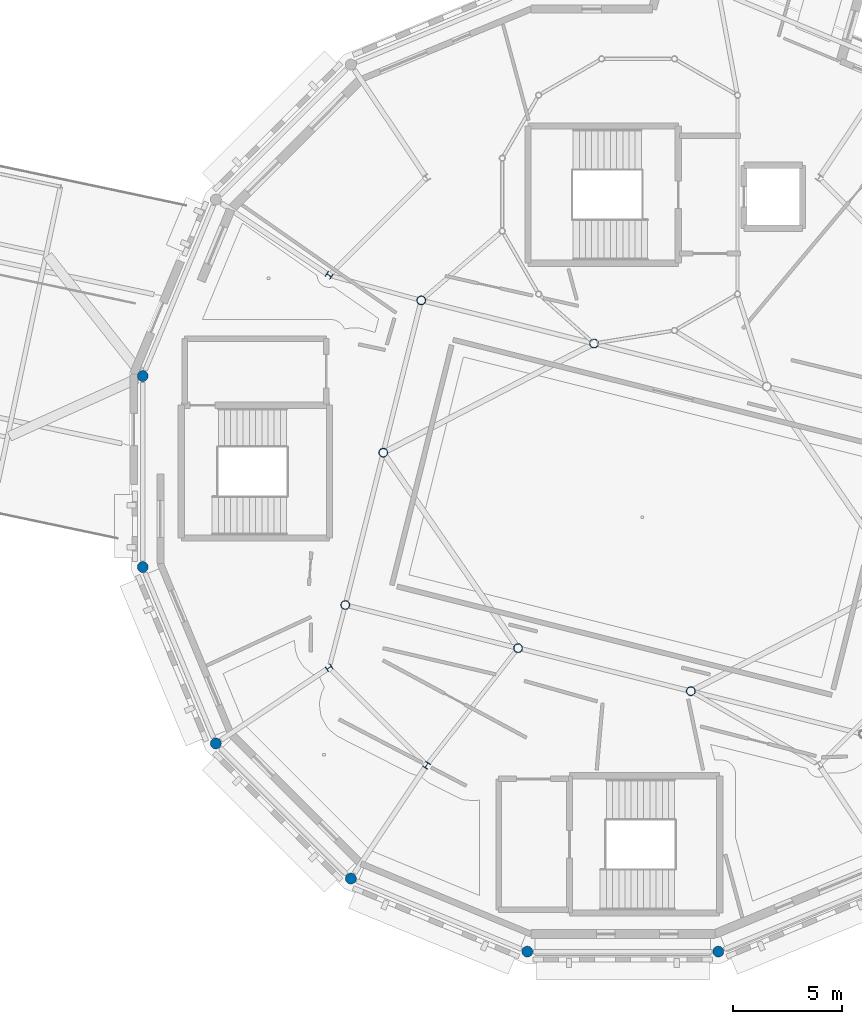
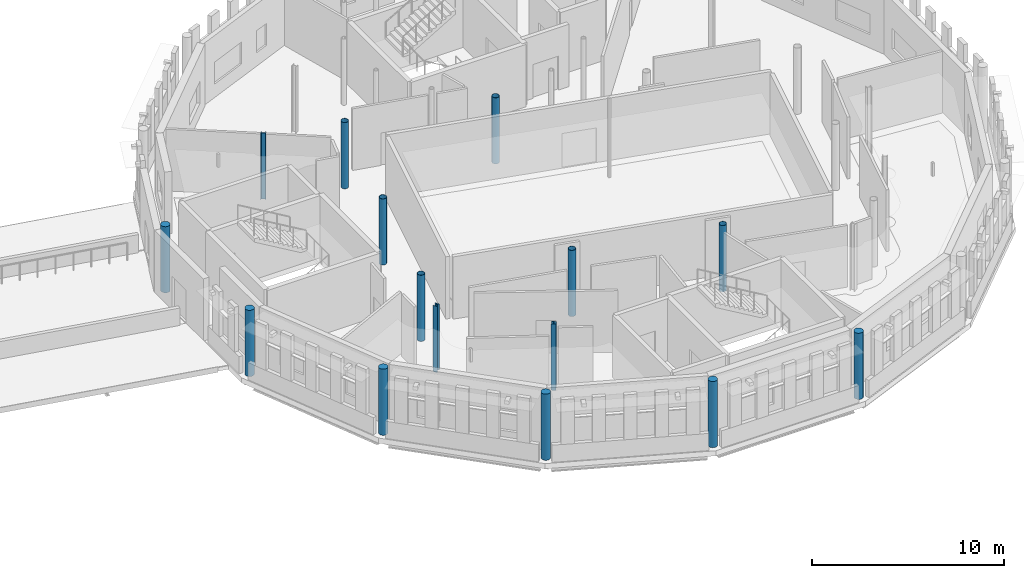
# One storey, part 11 of 90: 15 columns.
"""IFC4 building model written with IfcOpenShell, lengths in metres."""

from ifc_helpers import new_model, si_unit, direction, frame, origin, origin_2d, place, context, subcontext, project, spatial, circle, hollow_circle, i_section, extrude, material, material_profile, profile_set, type_object, element, save


model = new_model("IFC4")

# Units and contexts
model_context = context("Model", 3, precision=1e-05, world=origin(), true_north=direction((0.0, 1.0)))
body_context = subcontext(model_context, "Body", "Model", "MODEL_VIEW")
ifc_project = project(units=[si_unit("LENGTHUNIT", "METRE"), si_unit("AREAUNIT", "SQUARE_METRE"), si_unit("VOLUMEUNIT", "CUBIC_METRE"), si_unit("PLANEANGLEUNIT", "RADIAN"), si_unit("MASSUNIT", "GRAM", prefix="KILO")], contexts=[model_context])

# Site, building, storey
site_placement = place(None, origin())
site = spatial("IfcSite", under=ifc_project, at=site_placement, CompositionType="ELEMENT")
building_placement = place(site_placement, origin())
building = spatial("IfcBuilding", under=site, at=building_placement, Name="Wrenclough Park School", CompositionType="ELEMENT")
storey_placement = place(building_placement, frame((0.0, 0.0, 8.39990234375)))
storey = spatial("IfcBuildingStorey", under=building, at=storey_placement, Name="L02", CompositionType="ELEMENT", Elevation=8.39990234375)

# Columns
ifc_material_1 = material(Name="Structural steel S355", Category="steel")
ifc_material_profile_1 = material_profile(ifc_material_1, hollow_circle(Radius=0.203125, WallThickness=0.01611328125, at=origin_2d()), Name="CHS 406.4x16.0")
ifc_profile_set_1 = profile_set([ifc_material_profile_1], Name="Structural steel S355")
column_type_1 = type_object("IfcColumnType", Name="STR-COL-CHS406", PredefinedType="COLUMN", material=ifc_profile_set_1)
for number, where, z_axis, x_axis, name in (
    (1, (142.77197265625, 20.37744140625, 0.0), (0.0, 0.0, 1.0), (0.970295726276, -0.2419218956, 0.0), "D1 L02 column D1HR-0-0"),
    (2, (144.513916015625, 27.363525390625, 0.0), (0.0, 0.0, 1.0), (0.970295726276, -0.2419218956, 0.0), "D1 L02 column D1HR-0-1"),
    (3, (146.255615234375, 34.349609375, 0.0), (0.0, 0.0, 1.0), (0.970295726276, -0.2419218956, 0.0), "D1 L02 column D1HR-0-2"),
    (4, (150.696044921875, 18.401611328125, 0.0), (0.0, 0.0, 1.0), (0.970295726276, -0.2419218956, 0.0), "D1 L02 column D1HR-1-0"),
    (5, (154.1796875, 32.3740234375, 0.0), (0.0, 0.0, 1.0), (0.970295726276, -0.2419218956, 0.0), "D1 L02 column D1HR-1-2"),
    (6, (158.6201171875, 16.426025390625, 0.0), (0.0, 0.0, 1.0), (0.970295726276, -0.2419218956, 0.0), "D1 L02 column D1HR-2-0"),
):
    element("IfcColumn", number, at=place(storey_placement, frame(where, z_axis=z_axis, x_axis=x_axis)), inside=storey, type_object=column_type_1, Name=name, PredefinedType="COLUMN", context=body_context, shape_type="SweptSolid", body=[
        extrude(hollow_circle(Radius=0.203125, WallThickness=0.01611328125, at=origin_2d()), origin(), (0.0, 0.0, 1.0), 4.2001953125),
    ])
ifc_material_2 = material(Name="Concrete C40/50", Category="concrete")
ifc_material_profile_2 = material_profile(ifc_material_2, circle(Radius=0.25, at=origin_2d()), Name="RC COL D500")
ifc_profile_set_2 = profile_set([ifc_material_profile_2], Name="Concrete C40/50")
column_type_2 = type_object("IfcColumnType", Name="STR-COL-RCD500", PredefinedType="COLUMN", material=ifc_profile_set_2)
for number, where, z_axis, x_axis, name in (
    (7, (133.4814453125, 30.8798828125, 0.0), (0.0, 0.0, 1.0), (-0.195090322016, -0.980785280403, 0.0), "D1 L02 column D1-OUT-08"),
    (8, (133.4814453125, 22.1201171875, 0.0), (0.0, 0.0, 1.0), (0.195090322016, -0.980785280403, 0.0), "D1 L02 column D1-OUT-09"),
    (9, (136.83349609375, 14.02734375, 0.0), (0.0, 0.0, 1.0), (0.55557023302, -0.831469612303, 0.0), "D1 L02 column D1-OUT-10"),
    (10, (143.02734375, 7.83349609375, 0.0), (0.0, 0.0, 1.0), (0.831469612303, -0.55557023302, 0.0), "D1 L02 column D1-OUT-11"),
    (11, (151.1201171875, 4.4814453125, 0.0), (0.0, 0.0, 1.0), (0.980785280403, -0.195090322016, 0.0), "D1 L02 column D1-OUT-12"),
    (12, (159.8798828125, 4.4814453125, 0.0), (0.0, 0.0, 1.0), (0.980785280403, 0.195090322016, 0.0), "D1 L02 column D1-OUT-13"),
):
    element("IfcColumn", number, at=place(storey_placement, frame(where, z_axis=z_axis, x_axis=x_axis)), inside=storey, type_object=column_type_2, Name=name, PredefinedType="COLUMN", context=body_context, shape_type="SweptSolid", body=[
        extrude(circle(Radius=0.25, at=origin_2d()), origin(), (0.0, 0.0, 1.0), 4.2001953125),
    ])
ifc_material_profile_3 = material_profile(ifc_material_1, i_section(OverallWidth=0.2587890625, OverallDepth=0.2666015625, WebThickness=0.0126953125, FlangeThickness=0.0205078125, FilletRadius=0.0126953125, at=origin_2d()), Name="UKC 254x254x107")
ifc_profile_set_3 = profile_set([ifc_material_profile_3], Name="Structural steel S355")
column_type_3 = type_object("IfcColumnType", Name="STR-COL-UKC254B", PredefinedType="COLUMN", material=ifc_profile_set_3)
for number, where, z_axis, x_axis, name in (
    (13, (142.0302734375, 35.500244140625, 0.0), (0.0, 0.0, 1.0), (-0.55557023302, -0.831469612303, 0.0), "D1 L02 column D1-MID-07"),
    (14, (142.0302734375, 17.499755859375, 0.0), (0.0, 0.0, 1.0), (0.55557023302, -0.831469612303, 0.0), "D1 L02 column D1-MID-10"),
    (15, (146.499755859375, 13.0302734375, 0.0), (0.0, 0.0, 1.0), (0.831469612303, -0.55557023302, 0.0), "D1 L02 column D1-MID-11"),
):
    element("IfcColumn", number, at=place(storey_placement, frame(where, z_axis=z_axis, x_axis=x_axis)), inside=storey, type_object=column_type_3, Name=name, PredefinedType="COLUMN", context=body_context, shape_type="SweptSolid", body=[
        extrude(i_section(OverallWidth=0.2587890625, OverallDepth=0.2666015625, WebThickness=0.0126953125, FlangeThickness=0.0205078125, FilletRadius=0.0126953125, at=origin_2d()), origin(), (0.0, 0.0, 1.0), 4.2001953125),
    ])

save(model, "model.ifc")
